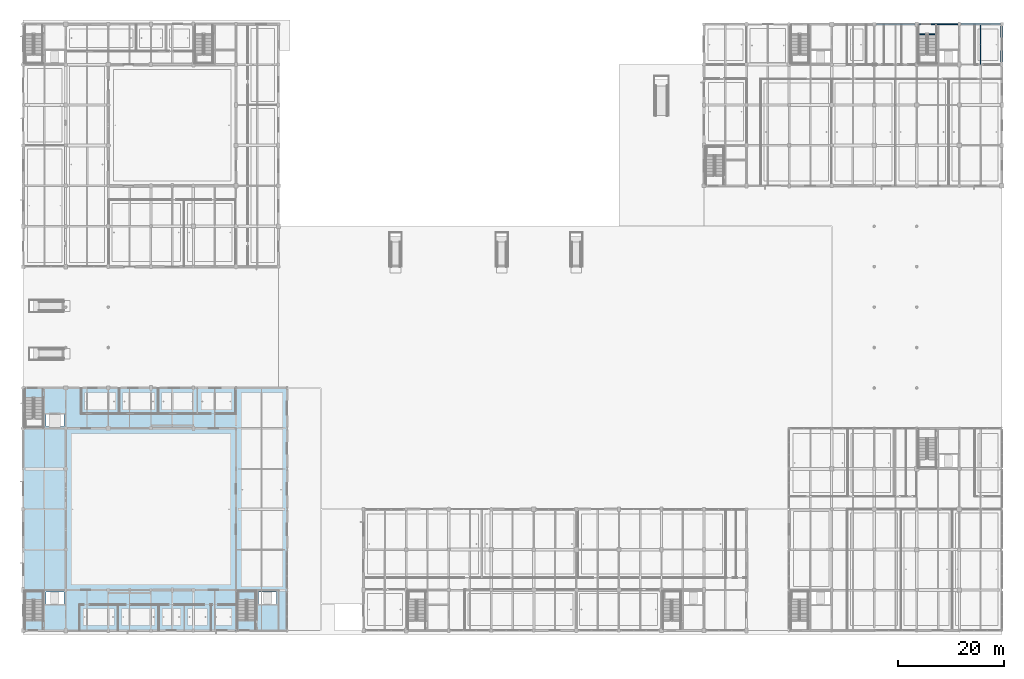
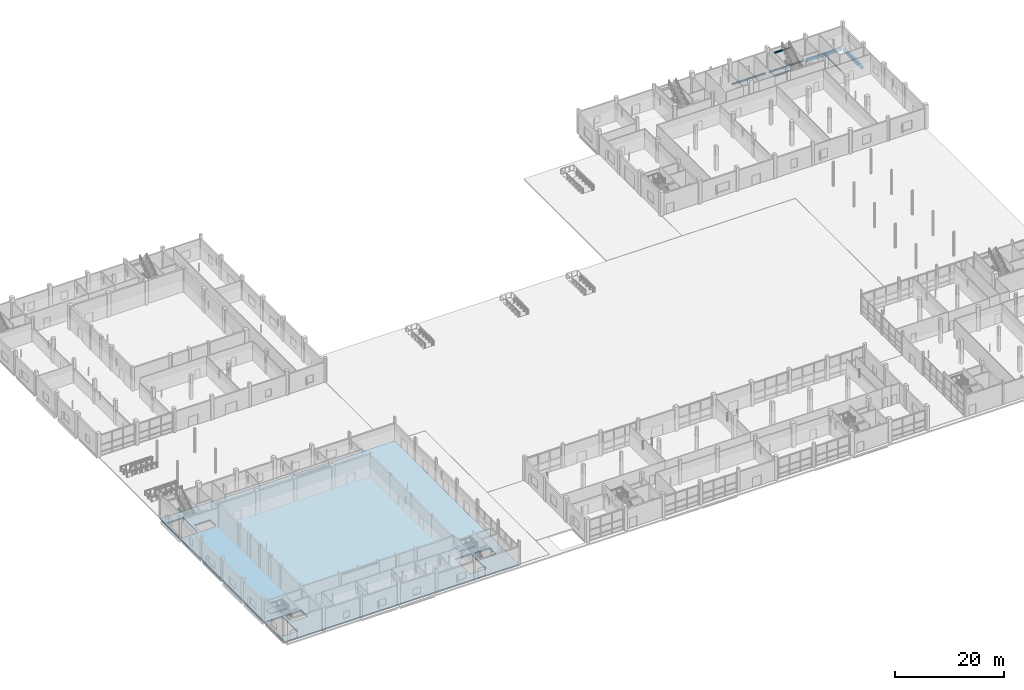
# One storey, part 48 of 126: 7 beams, 3 slabs, 2 elements without a shape of their own.
"""IFC4 building model written with IfcOpenShell, lengths in metres."""

from ifc_helpers import new_model, si_unit, direction, frame, origin, origin_2d, place, context, subcontext, project, spatial, polyline, rectangle, i_section, outline, extrude, material, layer, layer_set, material_profile, profile_set, type_object, element, aggregate, save


model = new_model("IFC4")

# Units and contexts
model_context = context("Model", 3, precision=1e-05, world=origin(), true_north=direction((0.0, 1.0)))
body_context = subcontext(model_context, "Body", "Model", "MODEL_VIEW")
ifc_project = project(units=[si_unit("LENGTHUNIT", "METRE"), si_unit("AREAUNIT", "SQUARE_METRE"), si_unit("VOLUMEUNIT", "CUBIC_METRE"), si_unit("PLANEANGLEUNIT", "RADIAN"), si_unit("MASSUNIT", "GRAM", prefix="KILO")], contexts=[model_context])

# Site, building, storey
site_placement = place(None, origin())
site = spatial("IfcSite", under=ifc_project, at=site_placement, CompositionType="ELEMENT")
building_placement = place(site_placement, origin())
building = spatial("IfcBuilding", under=site, at=building_placement, Name="Khelvaren Railside Concert Hall", CompositionType="ELEMENT")
storey_placement = place(building_placement, origin())
storey = spatial("IfcBuildingStorey", under=building, at=storey_placement, Name="L00", CompositionType="ELEMENT", Elevation=0.0)

# Beams
ifc_material_1 = material(Name="Steel S355", Category="steel")
ifc_material_profile_1 = material_profile(ifc_material_1, i_section(OverallWidth=0.239990234375, OverallDepth=0.22998046875, WebThickness=0.007568359375, FlangeThickness=0.011962890625, FilletRadius=0.02099609375, at=origin_2d()), Name="HEA 240")
ifc_profile_set_1 = profile_set([ifc_material_profile_1], Name="Steel S355")
beam_type_1 = type_object("IfcBeamType", Name="BM42", PredefinedType="BEAM", material=ifc_profile_set_1)
beam_1_placement = place(storey_placement, frame((168.344970703125, 112.039306640625, -0.114990234375), z_axis=(1.0, 0.0, 0.0), x_axis=(0.0, 1.0, 0.0)))
element("IfcBeam", 1, at=beam_1_placement, inside=storey, type_object=beam_type_1, Name="ST-10 L00 Stair Foot Trimmer Beam", PredefinedType="BEAM", context=body_context, shape_type="SweptSolid", body=[
    extrude(i_section(OverallWidth=0.239990234375, OverallDepth=0.22998046875, WebThickness=0.007568359375, FlangeThickness=0.011962890625, FilletRadius=0.02099609375, at=origin_2d()), origin(), (0.0, 0.0, 1.0), 3.4951171875),
])
ifc_material_profile_2 = material_profile(ifc_material_1, i_section(OverallWidth=0.280029296875, OverallDepth=0.27001953125, WebThickness=0.008056640625, FlangeThickness=0.012939453125, FilletRadius=0.02392578125, at=origin_2d()), Name="HEA 280")
ifc_profile_set_2 = profile_set([ifc_material_profile_2], Name="Steel S355")
beam_type_2 = type_object("IfcBeamType", Name="BM93", PredefinedType="BEAM", material=ifc_profile_set_2)
beam_2_placement = place(storey_placement, frame((168.344970703125, 112.139892578125, 4.90673828125), z_axis=(1.0, 0.0, 0.0), x_axis=(0.0, 1.0, 0.0)))
element("IfcBeam", 2, at=beam_2_placement, inside=storey, type_object=beam_type_2, Name="ST-10 L00 Stair Top Arrival Trimmer Beam", PredefinedType="BEAM", context=body_context, shape_type="SweptSolid", body=[
    extrude(i_section(OverallWidth=0.280029296875, OverallDepth=0.27001953125, WebThickness=0.008056640625, FlangeThickness=0.012939453125, FilletRadius=0.02392578125, at=origin_2d()), origin(), (0.0, 0.0, 1.0), 3.4951171875),
])
ifc_material_profile_3 = material_profile(ifc_material_1, i_section(OverallWidth=0.135009765625, OverallDepth=0.27001953125, WebThickness=0.006591796875, FlangeThickness=0.01025390625, FilletRadius=0.014892578125, at=origin_2d()), Name="IPE 270")
ifc_profile_set_3 = profile_set([ifc_material_profile_3], Name="Steel S355")
beam_type_3 = type_object("IfcBeamType", Name="JS78", PredefinedType="JOIST", material=ifc_profile_set_3)
beam_3_placement = place(storey_placement, frame((180.0, 106.5, -0.455078125), z_axis=(0.0, 1.0, 0.0), x_axis=(-1.0, 0.0, 0.0)))
element("IfcBeam", 3, at=beam_3_placement, inside=storey, type_object=beam_type_3, Name="V5 L00 Secondary Joist 7.4", PredefinedType="JOIST", context=body_context, shape_type="SweptSolid", body=[
    extrude(i_section(OverallWidth=0.135009765625, OverallDepth=0.27001953125, WebThickness=0.006591796875, FlangeThickness=0.01025390625, FilletRadius=0.014892578125, at=origin_2d()), origin(), (0.0, 0.0, 1.0), 7.300048828125),
])
ifc_material_2 = material(Name="Concrete C40/50", Category="concrete")
ifc_material_profile_4 = material_profile(ifc_material_2, rectangle(XDim=0.449951171875, YDim=0.64990234375, at=origin_2d()), Name="RCB 450x650")
ifc_profile_set_4 = profile_set([ifc_material_profile_4], Name="Concrete C40/50")
beam_type_4 = type_object("IfcBeamType", Name="SP34", PredefinedType="SPANDREL", material=ifc_profile_set_4)
beam_4_placement = place(storey_placement, frame((184.0, 106.85009765625, -0.64501953125), z_axis=(0.0, 1.0, 0.0), x_axis=(-1.0, 0.0, 0.0)))
element("IfcBeam", 4, at=beam_4_placement, inside=storey, type_object=beam_type_4, Name="V5 L00 Spandrel Y8.4", PredefinedType="SPANDREL", context=body_context, shape_type="SweptSolid", body=[
    extrude(rectangle(XDim=0.449951171875, YDim=0.64990234375, at=origin_2d()), origin(), (0.0, 0.0, 1.0), 6.77490234375),
])
ifc_material_profile_5 = material_profile(ifc_material_1, i_section(OverallWidth=0.300048828125, OverallDepth=0.31005859375, WebThickness=0.009033203125, FlangeThickness=0.015380859375, FilletRadius=0.027099609375, at=origin_2d()), Name="HEA 320")
ifc_profile_set_5 = profile_set([ifc_material_profile_5], Name="Steel S355")
beam_type_5 = type_object("IfcBeamType", Name="SP66", PredefinedType="SPANDREL", material=ifc_profile_set_5)
beam_5_placement = place(storey_placement, frame((160.39990234375, 114.0, -0.47509765625), z_axis=(1.0, 0.0, 0.0), x_axis=(0.0, 1.0, 0.0)))
element("IfcBeam", 5, at=beam_5_placement, inside=storey, type_object=beam_type_5, Name="V5 L00 Spandrel X5.5", PredefinedType="SPANDREL", context=body_context, shape_type="SweptSolid", body=[
    extrude(i_section(OverallWidth=0.300048828125, OverallDepth=0.31005859375, WebThickness=0.009033203125, FlangeThickness=0.015380859375, FilletRadius=0.027099609375, at=origin_2d()), origin(), (0.0, 0.0, 1.0), 7.25),
])
ifc_material_profile_6 = material_profile(ifc_material_1, i_section(OverallWidth=0.169921875, OverallDepth=0.360107421875, WebThickness=0.008056640625, FlangeThickness=0.0126953125, FilletRadius=0.01806640625, at=origin_2d()), Name="IPE 360")
ifc_profile_set_6 = profile_set([ifc_material_profile_6], Name="Steel S355")
beam_type_6 = type_object("IfcBeamType", Name="SP74", PredefinedType="SPANDREL", material=ifc_profile_set_6)
beam_6_placement = place(storey_placement, frame((168.35009765625, 114.0, -0.5), z_axis=(1.0, 0.0, 0.0), x_axis=(0.0, 1.0, 0.0)))
element("IfcBeam", 6, at=beam_6_placement, inside=storey, type_object=beam_type_6, Name="V5 L00 Spandrel X5.6", PredefinedType="SPANDREL", context=body_context, shape_type="SweptSolid", body=[
    extrude(i_section(OverallWidth=0.169921875, OverallDepth=0.360107421875, WebThickness=0.008056640625, FlangeThickness=0.0126953125, FilletRadius=0.01806640625, at=origin_2d()), origin(), (0.0, 0.0, 1.0), 7.349853515625),
])
ifc_material_profile_7 = material_profile(ifc_material_2, rectangle(XDim=0.39990234375, YDim=0.60009765625, at=origin_2d()), Name="RCB 400x600")
ifc_profile_set_7 = profile_set([ifc_material_profile_7], Name="Concrete C40/50")
beam_type_7 = type_object("IfcBeamType", Name="SP75", PredefinedType="SPANDREL", material=ifc_profile_set_7)
beam_7_placement = place(storey_placement, frame((176.300048828125, 114.0, -0.6201171875), z_axis=(1.0, 0.0, 0.0), x_axis=(0.0, 1.0, 0.0)))
element("IfcBeam", 7, at=beam_7_placement, inside=storey, type_object=beam_type_7, Name="V5 L00 Spandrel X5.7", PredefinedType="SPANDREL", context=body_context, shape_type="SweptSolid", body=[
    extrude(rectangle(XDim=0.39990234375, YDim=0.60009765625, at=origin_2d()), origin(), (0.0, 0.0, 1.0), 7.449951171875),
])

# Slab
ifc_layer_1 = layer(ifc_material_2, 0.320068359375)
ifc_layer_set_1 = layer_set([ifc_layer_1], Name="Concrete C40/50")
slab_type_1 = type_object("IfcSlabType", Name="FS29", PredefinedType="FLOOR", material=ifc_layer_set_1)
slab_1_placement = place(storey_placement, frame((0.0, 0.0, -0.320068359375)))
element("IfcSlab", 8, at=slab_1_placement, inside=storey, type_object=slab_type_1, Name="V1 L00 Structural Floor Slab", PredefinedType="FLOOR", context=body_context, shape_type="SweptSolid", body=[
    extrude(outline(polyline([(0.0, 0.0), (49.60009765625, 0.0), (49.60009765625, 45.60009765625), (0.0, 45.60009765625), (0.0, 0.0)]), holes=[polyline([(3.699951171875, 1.840087890625), (3.699951171875, 7.360107421875), (0.300048828125, 7.360107421875), (0.300048828125, 1.840087890625), (3.699951171875, 1.840087890625)]), polyline([(4.25, 4.949951171875), (7.64990234375, 4.949951171875), (7.64990234375, 7.25), (4.25, 7.25), (4.25, 4.949951171875)]), polyline([(43.699951171875, 1.840087890625), (43.699951171875, 7.360107421875), (40.300048828125, 7.360107421875), (40.300048828125, 1.840087890625), (43.699951171875, 1.840087890625)]), polyline([(44.25, 4.949951171875), (47.64990234375, 4.949951171875), (47.64990234375, 7.25), (44.25, 7.25), (44.25, 4.949951171875)]), polyline([(0.300048828125, 43.760009765625), (0.300048828125, 38.239990234375), (3.699951171875, 38.239990234375), (3.699951171875, 43.760009765625), (0.300048828125, 43.760009765625)]), polyline([(4.25, 38.35009765625), (7.64990234375, 38.35009765625), (7.64990234375, 40.64990234375), (4.25, 40.64990234375), (4.25, 38.35009765625)])]), origin(), (0.0, 0.0, 1.0), 0.320068359375),
])

# Stair, slab
stair_type = type_object("IfcStairType", Name="ST31", PredefinedType="HALF_TURN_STAIR", material=ifc_material_2)
stair_1_placement = place(storey_placement, origin())
stair_1 = element("IfcStair", 9, at=stair_1_placement, inside=storey, type_object=stair_type, Name="L00 Core Exit Stair ST-01", PredefinedType="HALF_TURN_STAIR")
ifc_layer_2 = layer(ifc_material_2, 0.199951171875)
ifc_layer_set_2 = layer_set([ifc_layer_2], Name="Concrete C40/50")
slab_type_2 = type_object("IfcSlabType", Name="LND67", PredefinedType="LANDING", material=ifc_layer_set_2)
slab_2_placement = place(storey_placement, frame((0.0, 0.0, 2.5)))
slab_2 = element("IfcSlab", 10, at=slab_2_placement, type_object=slab_type_2, Name="ST-01 landing 1", PredefinedType="LANDING", context=body_context, shape_type="SweptSolid", body=[
    extrude(outline(polyline([(3.699951171875, 5.760009765625), (3.699951171875, 7.360107421875), (0.300048828125, 7.360107421875), (0.300048828125, 5.760009765625), (3.699951171875, 5.760009765625)])), origin(), (0.0, 0.0, 1.0), 0.199951171875),
])
aggregate(stair_1, [slab_2])

stair_2_placement = place(storey_placement, origin())
stair_2 = element("IfcStair", 11, at=stair_2_placement, inside=storey, type_object=stair_type, Name="L00 Core Exit Stair ST-02", PredefinedType="HALF_TURN_STAIR")
slab_3_placement = place(storey_placement, frame((0.0, 0.0, 2.5)))
slab_3 = element("IfcSlab", 12, at=slab_3_placement, type_object=slab_type_2, Name="ST-02 landing 1", PredefinedType="LANDING", context=body_context, shape_type="SweptSolid", body=[
    extrude(outline(polyline([(43.699951171875, 5.760009765625), (43.699951171875, 7.360107421875), (40.300048828125, 7.360107421875), (40.300048828125, 5.760009765625), (43.699951171875, 5.760009765625)])), origin(), (0.0, 0.0, 1.0), 0.199951171875),
])
aggregate(stair_2, [slab_3])

save(model, "model.ifc")
